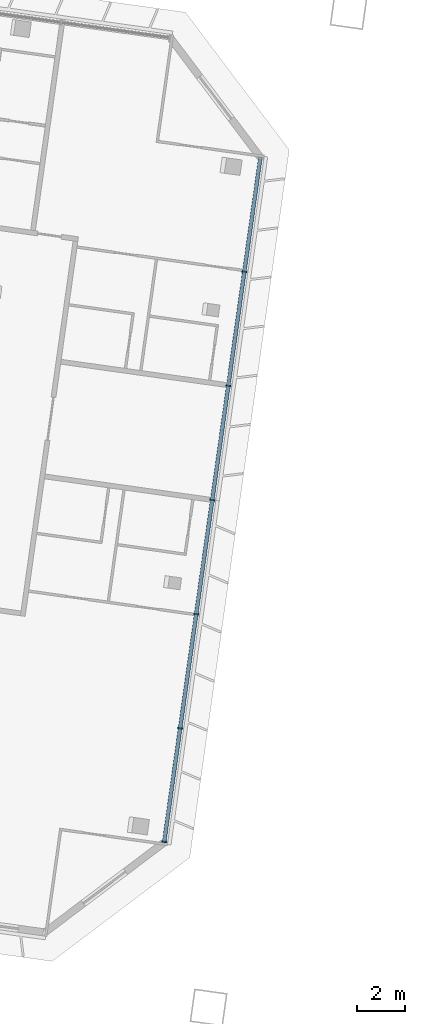
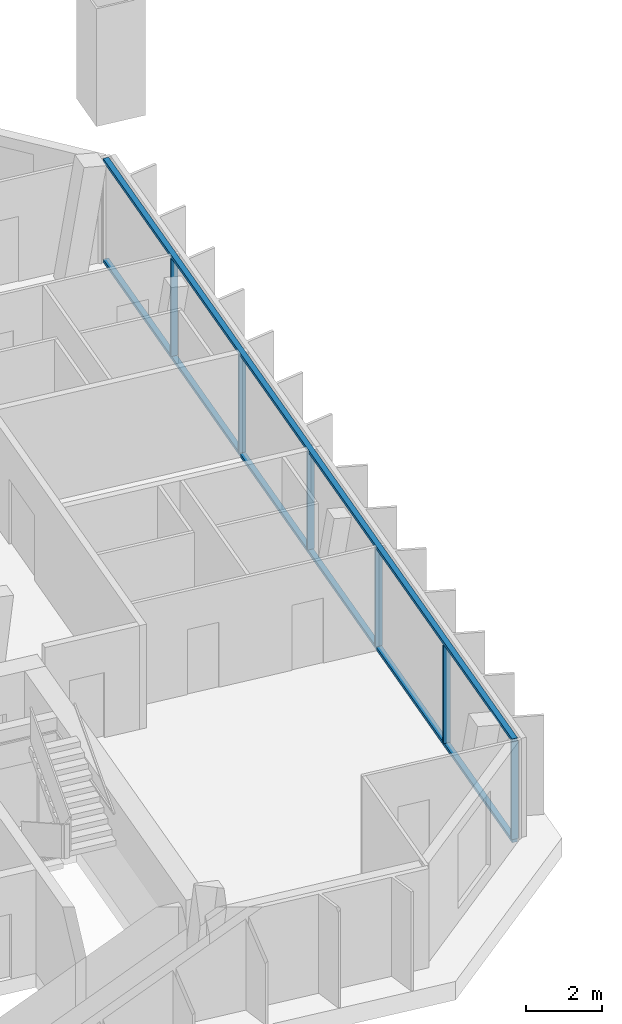
# One storey, part 4 of 23: 8 members, 1 element without a shape of its own.
"""IFC4 building model written with IfcOpenShell, lengths in metres."""

from ifc_helpers import new_model, si_unit, direction, frame, origin, origin_2d, place, context, subcontext, project, spatial, rectangle, extrude, material, material_profile, profile_set, type_object, element, aggregate, save


model = new_model("IFC4")

# Units and contexts
model_context = context("Model", 3, precision=1e-05, world=origin(), true_north=direction((0.0, 1.0)))
body_context = subcontext(model_context, "Body", "Model", "MODEL_VIEW")
ifc_project = project(units=[si_unit("LENGTHUNIT", "METRE"), si_unit("AREAUNIT", "SQUARE_METRE"), si_unit("VOLUMEUNIT", "CUBIC_METRE"), si_unit("PLANEANGLEUNIT", "RADIAN"), si_unit("MASSUNIT", "GRAM", prefix="KILO")], contexts=[model_context])

# Site, building, storey
site_placement = place(None, origin())
site = spatial("IfcSite", under=ifc_project, at=site_placement, CompositionType="ELEMENT")
building_placement = place(site_placement, origin())
building = spatial("IfcBuilding", under=site, at=building_placement, Name="Mirante Cascada Hotel Towers", CompositionType="ELEMENT")
storey_placement = place(building_placement, frame((0.0, 0.0, 220.4)))
storey = spatial("IfcBuildingStorey", under=building, at=storey_placement, Name="L52", CompositionType="ELEMENT", Elevation=220.4)

# Curtain wall, members
ifc_material_1 = material(Name="Aluminium mullion and transom frame with clear laminated glass", Category="aluminium")
curtain_wall_type = type_object("IfcCurtainWallType", Name="End ribbon curtain wall ECW2", PredefinedType="NOTDEFINED", material=ifc_material_1)
curtain_wall_placement = place(storey_placement, origin())
curtain_wall = element("IfcCurtainWall", 1, at=curtain_wall_placement, inside=storey, type_object=curtain_wall_type, Name="Inner end wall T1 L52", PredefinedType="NOTDEFINED")
ifc_material_2 = material(Name="Anodised aluminium extrusion", Category="aluminium")
ifc_material_profile_1 = material_profile(ifc_material_2, rectangle(XDim=0.2, YDim=0.065, at=origin_2d()), Name="ECW2 MULLION 65x200")
ifc_profile_set_1 = profile_set([ifc_material_profile_1], Name="Anodised aluminium extrusion")
member_type_1 = type_object("IfcMemberType", Name="ECW2 mullion 65x200", PredefinedType="MULLION", material=ifc_profile_set_1)
member_1_placement = place(storey_placement, frame((-23.257, 6.7722, 0.1), z_axis=(0.0, 0.0, 1.0), x_axis=(0.9902681, -0.1391731, 0.0)))
member_1 = element("IfcMember", 2, at=member_1_placement, type_object=member_type_1, Name="ECW2 mullion 2", PredefinedType="MULLION", context=body_context, shape_type="SweptSolid", body=[
    extrude(rectangle(XDim=0.2, YDim=0.065, at=origin_2d()), origin(), (0.0, 0.0, 1.0), 3.15),
])
member_2_placement = place(storey_placement, frame((-23.9268, 2.0064, 0.1), z_axis=(0.0, 0.0, 1.0), x_axis=(0.9902681, -0.1391731, 0.0)))
member_2 = element("IfcMember", 3, at=member_2_placement, type_object=member_type_1, Name="ECW2 mullion 3", PredefinedType="MULLION", context=body_context, shape_type="SweptSolid", body=[
    extrude(rectangle(XDim=0.2, YDim=0.065, at=origin_2d()), origin(), (0.0, 0.0, 1.0), 3.15),
])
member_3_placement = place(storey_placement, frame((-24.5966, -2.7594, 0.1), z_axis=(0.0, 0.0, 1.0), x_axis=(0.9902681, -0.1391731, 0.0)))
member_3 = element("IfcMember", 4, at=member_3_placement, type_object=member_type_1, Name="ECW2 mullion 4", PredefinedType="MULLION", context=body_context, shape_type="SweptSolid", body=[
    extrude(rectangle(XDim=0.2, YDim=0.065, at=origin_2d()), origin(), (0.0, 0.0, 1.0), 3.15),
])
member_4_placement = place(storey_placement, frame((-25.2664, -7.5252, 0.1), z_axis=(0.0, 0.0, 1.0), x_axis=(0.9902681, -0.1391731, 0.0)))
member_4 = element("IfcMember", 5, at=member_4_placement, type_object=member_type_1, Name="ECW2 mullion 5", PredefinedType="MULLION", context=body_context, shape_type="SweptSolid", body=[
    extrude(rectangle(XDim=0.2, YDim=0.065, at=origin_2d()), origin(), (0.0, 0.0, 1.0), 3.15),
])
member_5_placement = place(storey_placement, frame((-25.9361, -12.291, 0.1), z_axis=(0.0, 0.0, 1.0), x_axis=(0.9902681, -0.1391731, 0.0)))
member_5 = element("IfcMember", 6, at=member_5_placement, type_object=member_type_1, Name="ECW2 mullion 6", PredefinedType="MULLION", context=body_context, shape_type="SweptSolid", body=[
    extrude(rectangle(XDim=0.2, YDim=0.065, at=origin_2d()), origin(), (0.0, 0.0, 1.0), 3.15),
])
member_6_placement = place(storey_placement, frame((-26.6014, -17.0246, 0.1), z_axis=(0.0, 0.0, 1.0), x_axis=(0.9902681, -0.1391731, 0.0)))
member_6 = element("IfcMember", 7, at=member_6_placement, type_object=member_type_1, Name="ECW2 mullion 7", PredefinedType="MULLION", context=body_context, shape_type="SweptSolid", body=[
    extrude(rectangle(XDim=0.2, YDim=0.065, at=origin_2d()), origin(), (0.0, 0.0, 1.0), 3.15),
])
ifc_material_3 = material(Name="Anodised aluminium extrusion", Category="aluminium")
ifc_material_profile_2 = material_profile(ifc_material_3, rectangle(XDim=0.16, YDim=0.1, at=origin_2d()), Name="ECW2 TRANSOM 100x160")
ifc_profile_set_2 = profile_set([ifc_material_profile_2], Name="Anodised aluminium extrusion")
member_type_2 = type_object("IfcMemberType", Name="ECW2 transom 100x160", PredefinedType="USERDEFINED", material=ifc_profile_set_2)
member_7_placement = place(storey_placement, frame((-22.5872, 11.538, 0.05), z_axis=(-0.1391718, -0.9902682, 0.0), x_axis=(0.9902682, -0.1391718, 0.0)))
member_7 = element("IfcMember", 8, at=member_7_placement, type_object=member_type_2, Name="ECW2 sill transom", ObjectType="TRANSOM", PredefinedType="USERDEFINED", context=body_context, shape_type="SweptSolid", body=[
    extrude(rectangle(XDim=0.16, YDim=0.1, at=origin_2d()), origin(), (0.0, 0.0, 1.0), 28.8758),
])
member_8_placement = place(storey_placement, frame((-22.5872, 11.538, 3.3), z_axis=(-0.1391718, -0.9902682, 0.0), x_axis=(0.9902682, -0.1391718, 0.0)))
member_8 = element("IfcMember", 9, at=member_8_placement, type_object=member_type_2, Name="ECW2 head transom", ObjectType="TRANSOM", PredefinedType="USERDEFINED", context=body_context, shape_type="SweptSolid", body=[
    extrude(rectangle(XDim=0.16, YDim=0.1, at=origin_2d()), origin(), (0.0, 0.0, 1.0), 28.8758),
])
aggregate(curtain_wall, [member_7, member_8, member_1, member_2, member_3, member_4, member_5, member_6])

save(model, "model.ifc")
